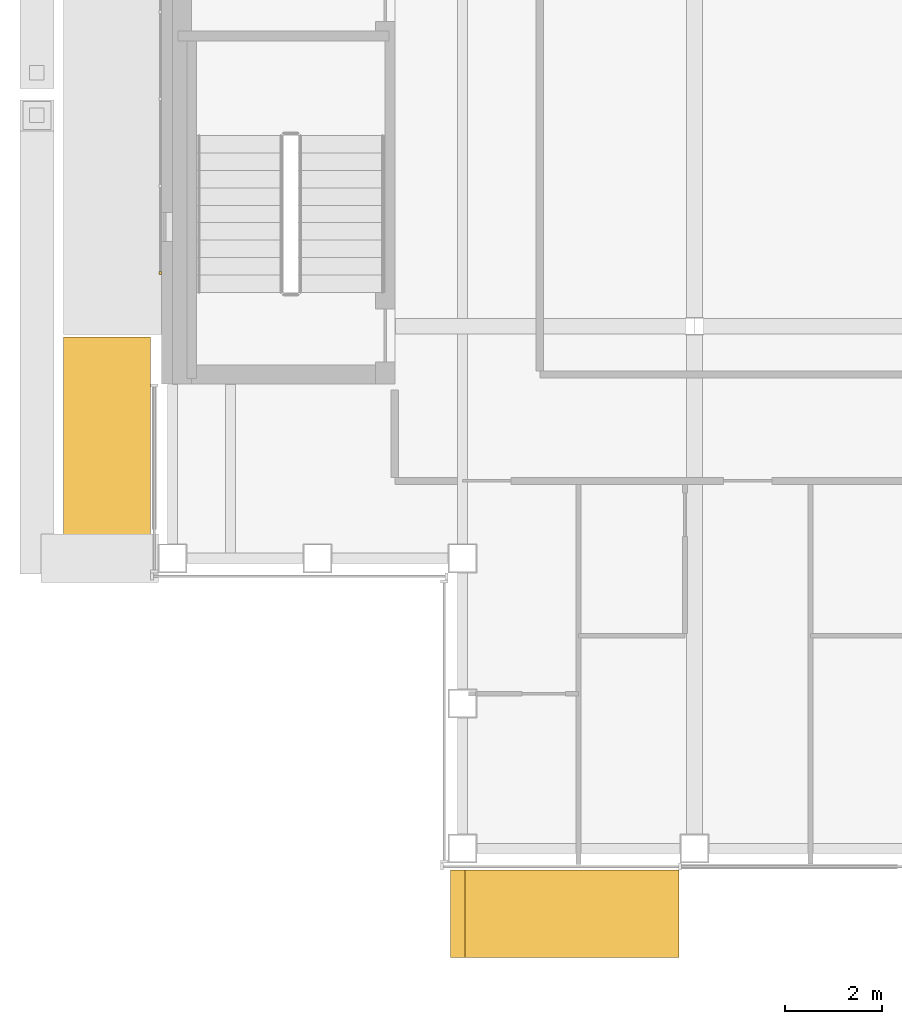
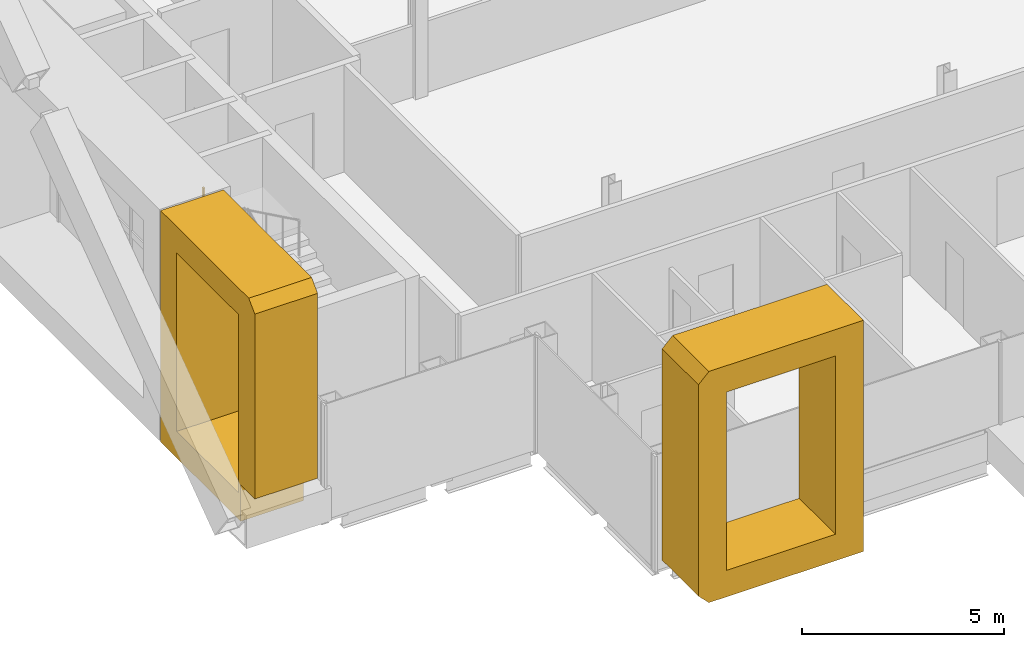
# One storey, part 16 of 23: 3 coverings.
"""IFC4 building model written with IfcOpenShell, lengths in metres."""

from ifc_helpers import new_model, si_unit, direction, frame, origin, origin_2d, place, context, subcontext, project, spatial, polyline, rectangle, outline, extrude, material, type_object, element, save


model = new_model("IFC4")

# Units and contexts
model_context = context("Model", 3, precision=1e-05, world=origin(), true_north=direction((0.0, 1.0)))
body_context = subcontext(model_context, "Body", "Model", "MODEL_VIEW")
ifc_project = project(units=[si_unit("LENGTHUNIT", "METRE"), si_unit("AREAUNIT", "SQUARE_METRE"), si_unit("VOLUMEUNIT", "CUBIC_METRE"), si_unit("PLANEANGLEUNIT", "RADIAN"), si_unit("MASSUNIT", "GRAM", prefix="KILO")], contexts=[model_context])

# Site, building, storey
site_placement = place(None, origin())
site = spatial("IfcSite", under=ifc_project, at=site_placement, CompositionType="ELEMENT")
building_placement = place(site_placement, origin())
building = spatial("IfcBuilding", under=site, at=building_placement, Name="Cobrizo Arcos Hotel Tower", CompositionType="ELEMENT")
storey_placement = place(building_placement, frame((0.0, 0.0, 262.0)))
storey = spatial("IfcBuildingStorey", under=building, at=storey_placement, Name="L69", CompositionType="ELEMENT", Elevation=262.0)

# Coverings
ifc_material_1 = material(Name="Aluminium 6063-T6 anodised bronze", Category="aluminium")
covering_type_1 = type_object("IfcCoveringType", Name="FIN-F 1800", PredefinedType="CLADDING", material=ifc_material_1)
covering_1_placement = place(storey_placement, frame((-14.64990234375, -20.85009765625, 0.0), z_axis=(0.0, -1.0, 0.0), x_axis=(1.0, 0.0, 0.0)))
element("IfcCovering", 1, at=covering_1_placement, inside=storey, type_object=covering_type_1, Name="Fin frame 419", PredefinedType="CLADDING", context=body_context, shape_type="SweptSolid", body=[
    extrude(outline(polyline([(0.0, 0.300048828125), (0.300048828125, 0.0), (4.72509765625, 0.0), (4.72509765625, 7.0), (0.300048828125, 7.0), (0.0, 6.699951171875), (0.0, 0.300048828125)]), holes=[polyline([(3.925048828125, 0.800048828125), (0.800048828125, 0.800048828125), (0.800048828125, 6.199951171875), (3.925048828125, 6.199951171875), (3.925048828125, 0.800048828125)])]), origin(), (0.0, 0.0, 1.0), 1.7998046875),
])
covering_2_placement = place(storey_placement, frame((-20.85009765625, -9.824951171875, 0.0), z_axis=(-1.0, 0.0, 0.0), x_axis=(0.0, -1.0, 0.0)))
element("IfcCovering", 2, at=covering_2_placement, inside=storey, type_object=covering_type_1, Name="Fin frame 438", PredefinedType="CLADDING", context=body_context, shape_type="SweptSolid", body=[
    extrude(outline(polyline([(0.0, 0.0), (3.972900390625, 0.0), (3.972900390625, 1.10205078125), (4.675048828125, 1.10205078125), (4.675048828125, 6.699951171875), (4.375, 7.0), (0.0, 7.0), (0.0, 0.0)]), holes=[polyline([(3.875, 0.800048828125), (0.800048828125, 0.800048828125), (0.800048828125, 6.199951171875), (3.875, 6.199951171875), (3.875, 0.800048828125)])]), origin(), (0.0, 0.0, 1.0), 1.7998046875),
])
ifc_material_2 = material(Name="Aluminium 6063-T6 anodised pale", Category="aluminium")
covering_type_2 = type_object("IfcCoveringType", Name="RS-2 rainscreen rib 60x50", PredefinedType="CLADDING", material=ifc_material_2)
covering_3_placement = place(storey_placement, frame((-20.64990234375, -8.5, 0.800048828125), z_axis=(0.0, 0.0, 1.0), x_axis=(0.0, -1.0, 0.0)))
element("IfcCovering", 3, at=covering_3_placement, inside=storey, type_object=covering_type_2, Name="Rainscreen rib 350", PredefinedType="CLADDING", context=body_context, shape_type="SweptSolid", body=[
    extrude(rectangle(XDim=0.06005859375, YDim=0.050048828125, at=origin_2d()), origin(), (0.0, 0.0, 1.0), 5.39990234375),
])

save(model, "model.ifc")
